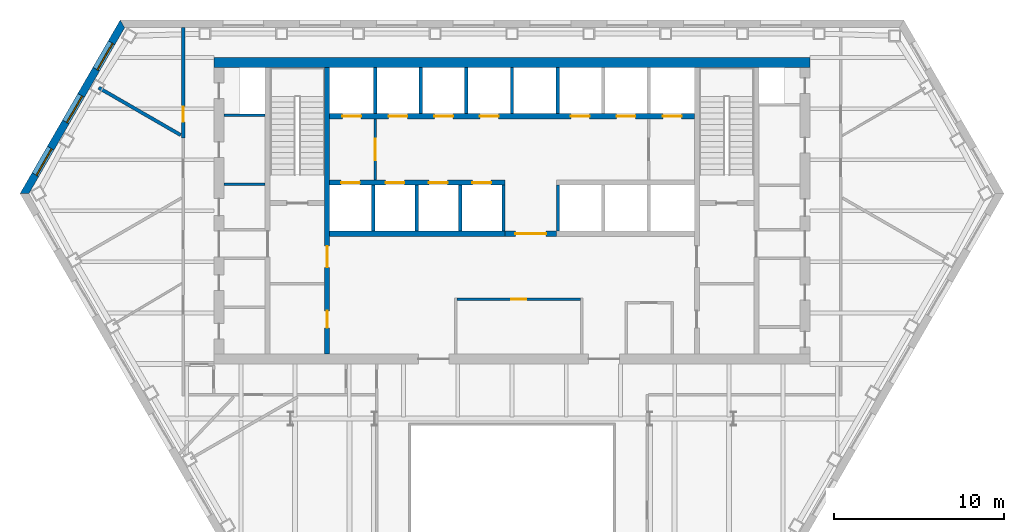
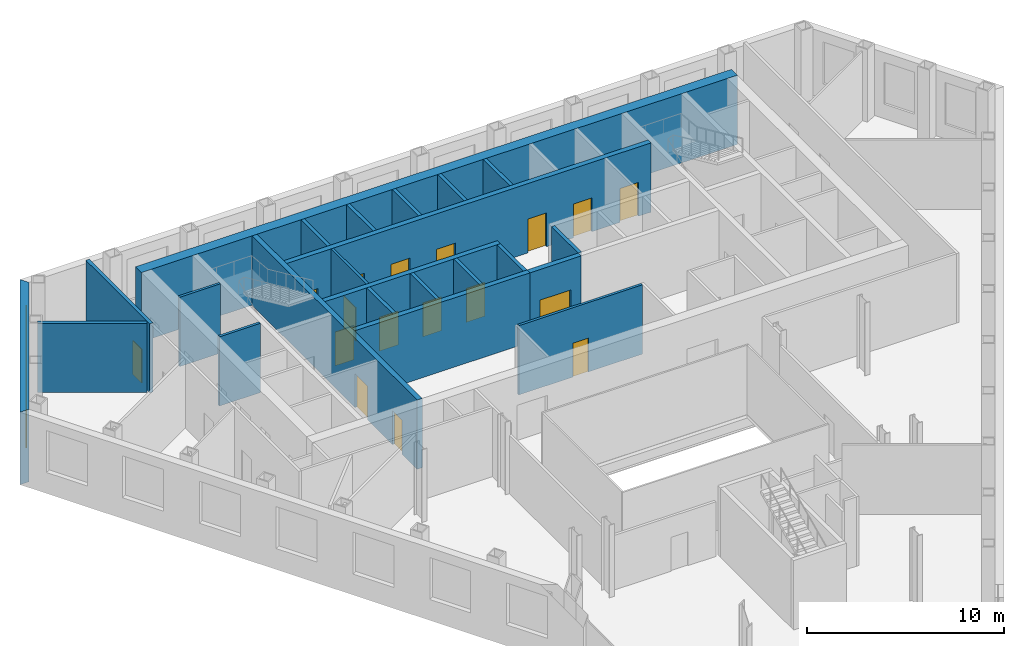
# One storey, part 6 of 11: 23 walls, 17 doors, 3 windows, 20 openings.
"""IFC4 building model written with IfcOpenShell, lengths in metres."""

from ifc_helpers import new_model, si_unit, direction, frame, frame_2d, origin, place, context, subcontext, project, spatial, polyline, rectangle, outline, extrude, material, layer, layer_set, type_object, element, fill, save


model = new_model("IFC4")

# Units and contexts
model_context = context("Model", 3, precision=1e-05, world=origin(), true_north=direction((0.0, 1.0)))
body_context = subcontext(model_context, "Body", "Model", "MODEL_VIEW")
ifc_project = project(units=[si_unit("LENGTHUNIT", "METRE"), si_unit("AREAUNIT", "SQUARE_METRE"), si_unit("VOLUMEUNIT", "CUBIC_METRE"), si_unit("PLANEANGLEUNIT", "RADIAN"), si_unit("MASSUNIT", "GRAM", prefix="KILO")], contexts=[model_context])

# Site, building, storey
site_placement = place(None, origin())
site = spatial("IfcSite", under=ifc_project, at=site_placement, CompositionType="ELEMENT")
building_placement = place(site_placement, origin())
building = spatial("IfcBuilding", under=site, at=building_placement, Name="Njiva Tower", CompositionType="ELEMENT")
storey_placement = place(building_placement, frame((0.0, 0.0, 37.8)))
storey = spatial("IfcBuildingStorey", under=building, at=storey_placement, Name="L07", CompositionType="ELEMENT", Elevation=37.8)

# Wall
ifc_material_1 = material(Name="Blockwork", Category="masonry")
ifc_layer_1 = layer(ifc_material_1, 0.15)
ifc_layer_set_1 = layer_set([ifc_layer_1], Name="Blockwork")
wall_type_1 = type_object("IfcWallType", Name="WT1 Compartment partition 150", PredefinedType="PARTITIONING", material=ifc_layer_set_1)
wall_1_placement = place(storey_placement, frame((-16.9, 10.5559, 0.0), z_axis=(0.0, 0.0, 1.0), x_axis=(1.0, 0.0, 0.0)))
element("IfcWall", 1, at=wall_1_placement, inside=storey, type_object=wall_type_1, Name="Partition strip W10", PredefinedType="PARTITIONING", context=body_context, shape_type="SweptSolid", body=[
    extrude(rectangle(XDim=2.4, YDim=0.15, at=frame_2d((1.2, 0.0))), origin(), (0.0, 0.0, 1.0), 4.3),
])

# Wall, opening, door
wall_2_placement = place(storey_placement, frame((-3.225, 3.8, 0.0), z_axis=(0.0, 0.0, 1.0), x_axis=(1.0, 0.0, 0.0)))
wall_2 = element("IfcWall", 2, at=wall_2_placement, inside=storey, type_object=wall_type_1, Name="Information office wall north", PredefinedType="PARTITIONING", context=body_context, shape_type="SweptSolid", body=[
    extrude(rectangle(XDim=7.25, YDim=0.15, at=frame_2d((3.625, 0.0))), origin(), (0.0, 0.0, 1.0), 4.3),
])
opening_1_placement = place(wall_2_placement, frame((3.175, 0.0, 0.0)))
opening_1 = element("IfcOpeningElement", 3, at=opening_1_placement, cuts=wall_2, Name="Opening S02-D934", PredefinedType="OPENING", context=body_context, shape_type="SweptSolid", body=[
    extrude(rectangle(XDim=0.9, YDim=2.1, at=frame_2d((0.45, 1.05))), frame((0.0, 0.085, 0.0), z_axis=(0.0, -1.0, 0.0), x_axis=(1.0, 0.0, 0.0)), (0.0, 0.0, 1.0), 0.17),
])
ifc_material_2 = material(Name="Steel fire door, painted", Category="steel")
door_type_1 = type_object("IfcDoorType", Name="D6 Fire-rated door 900x2100", OperationType="SINGLE_SWING_LEFT", PredefinedType="DOOR", material=ifc_material_2)
door_1_placement = place(opening_1_placement, origin())
door_1 = element("IfcDoor", 4, at=door_1_placement, inside=storey, type_object=door_type_1, Name="Information office door", OperationType="SINGLE_SWING_LEFT", OverallHeight=2.1, OverallWidth=0.9, PredefinedType="DOOR", context=body_context, shape_type="SweptSolid", body=[
    extrude(rectangle(XDim=0.9, YDim=2.1, at=frame_2d((0.45, 1.05))), frame((0.0, 0.025, 0.0), z_axis=(0.0, -1.0, 0.0), x_axis=(1.0, 0.0, 0.0)), (0.0, 0.0, 1.0), 0.05),
])
fill(opening_1, door_1)

# Wall, openings, doors
ifc_material_3 = material(Name="Concrete C40/50", Category="concrete")
ifc_layer_2 = layer(ifc_material_3, 0.3)
ifc_layer_set_2 = layer_set([ifc_layer_2], Name="Concrete C40/50")
wall_type_2 = type_object("IfcWallType", Name="WT10 Stair enclosure wall 300", PredefinedType="SHEAR", material=ifc_layer_set_2)
wall_3_placement = place(storey_placement, frame((-10.85, 0.6, 0.0), z_axis=(0.0, 0.0, 1.0), x_axis=(0.0, 1.0, 0.0)))
wall_3 = element("IfcWall", 5, at=wall_3_placement, inside=storey, type_object=wall_type_2, Name="Stair wall west inner", PredefinedType="SHEAR", context=body_context, shape_type="SweptSolid", body=[
    extrude(rectangle(XDim=16.8, YDim=0.3, at=frame_2d((8.4, 0.0))), origin(), (0.0, 0.0, 1.0), 4.3),
])
opening_2_placement = place(wall_3_placement, frame((5.075, 0.0, 0.0)))
opening_2 = element("IfcOpeningElement", 6, at=opening_2_placement, cuts=wall_3, Name="Opening S02-D914", PredefinedType="OPENING", context=body_context, shape_type="SweptSolid", body=[
    extrude(rectangle(XDim=1.25, YDim=2.1, at=frame_2d((0.625, 1.05))), frame((0.0, 0.16, 0.0), z_axis=(0.0, -1.0, 0.0), x_axis=(1.0, 0.0, 0.0)), (0.0, 0.0, 1.0), 0.32),
])
opening_3_placement = place(wall_3_placement, frame((1.525, 0.0, 0.0)))
opening_3 = element("IfcOpeningElement", 7, at=opening_3_placement, cuts=wall_3, Name="Opening S02-D915", PredefinedType="OPENING", context=body_context, shape_type="SweptSolid", body=[
    extrude(rectangle(XDim=1.0, YDim=2.1, at=frame_2d((0.5, 1.05))), frame((0.0, 0.16, 0.0), z_axis=(0.0, -1.0, 0.0), x_axis=(1.0, 0.0, 0.0)), (0.0, 0.0, 1.0), 0.32),
])
ifc_material_4 = material(Name="Steel door, painted", Category="steel")
door_type_2 = type_object("IfcDoorType", Name="D5 Steel door 1000x2100", OperationType="SINGLE_SWING_LEFT", PredefinedType="DOOR", material=ifc_material_4)
door_2_placement = place(opening_3_placement, origin())
door_2 = element("IfcDoor", 8, at=door_2_placement, inside=storey, type_object=door_type_2, Name="Breakout room door", OperationType="SINGLE_SWING_RIGHT", OverallHeight=2.1, OverallWidth=1.0, PredefinedType="DOOR", context=body_context, shape_type="SweptSolid", body=[
    extrude(rectangle(XDim=1.0, YDim=2.1, at=frame_2d((0.5, 1.05))), frame((0.0, 0.025, 0.0), z_axis=(0.0, -1.0, 0.0), x_axis=(1.0, 0.0, 0.0)), (0.0, 0.0, 1.0), 0.05),
])
fill(opening_3, door_2)
ifc_material_5 = material(Name="Glazed steel fire door", Category="steel")
door_type_3 = type_object("IfcDoorType", Name="D8 Vestibule corridor door 1250x2100 glazed", OperationType="SINGLE_SWING_LEFT", PredefinedType="DOOR", material=ifc_material_5)
door_3_placement = place(opening_2_placement, origin())
door_3 = element("IfcDoor", 9, at=door_3_placement, inside=storey, type_object=door_type_3, Name="Stair vestibule corridor door", OperationType="SINGLE_SWING_LEFT", OverallHeight=2.1, OverallWidth=1.25, PredefinedType="DOOR", context=body_context, shape_type="SweptSolid", body=[
    extrude(rectangle(XDim=1.25, YDim=2.1, at=frame_2d((0.625, 1.05))), frame((0.0, 0.025, 0.0), z_axis=(0.0, -1.0, 0.0), x_axis=(1.0, 0.0, 0.0)), (0.0, 0.0, 1.0), 0.05),
])
fill(opening_2, door_3)

# Wall
ifc_material_6 = material(Name="Concrete C60/75", Category="concrete")
ifc_layer_3 = layer(ifc_material_6, 0.6)
ifc_layer_set_3 = layer_set([ifc_layer_3], Name="Concrete C60/75")
wall_type_3 = type_object("IfcWallType", Name="WT15 Core wall 600", PredefinedType="SHEAR", material=ifc_layer_set_3)
wall_4_placement = place(storey_placement, frame((-17.5, 17.7, 0.0), z_axis=(0.0, 0.0, 1.0), x_axis=(1.0, 0.0, 0.0)))
element("IfcWall", 10, at=wall_4_placement, inside=storey, type_object=wall_type_3, Name="Core wall north", PredefinedType="SHEAR", context=body_context, shape_type="SweptSolid", body=[
    extrude(rectangle(XDim=35.0, YDim=0.6, at=frame_2d((17.5, 0.0))), origin(), (0.0, 0.0, 1.0), 4.3),
])

# Wall, opening, door
ifc_layer_4 = layer(ifc_material_1, 0.15)
ifc_layer_set_4 = layer_set([ifc_layer_4], Name="Blockwork")
wall_type_4 = type_object("IfcWallType", Name="WT2 Lobby partition 150", PredefinedType="PARTITIONING", material=ifc_layer_set_4)
wall_5_placement = place(storey_placement, frame((-8.025, 10.8, 0.0), z_axis=(0.0, 0.0, 1.0), x_axis=(0.0, 1.0, 0.0)))
wall_5 = element("IfcWall", 11, at=wall_5_placement, inside=storey, type_object=wall_type_4, Name="Firefighting lobby wall A", PredefinedType="PARTITIONING", context=body_context, shape_type="SweptSolid", body=[
    extrude(rectangle(XDim=3.6, YDim=0.15, at=frame_2d((1.8, 0.0))), origin(), (0.0, 0.0, 1.0), 4.3),
])
opening_4_placement = place(wall_5_placement, frame((1.175, 0.0, 0.0)))
opening_4 = element("IfcOpeningElement", 12, at=opening_4_placement, cuts=wall_5, Name="Opening S02-D912", PredefinedType="OPENING", context=body_context, shape_type="SweptSolid", body=[
    extrude(rectangle(XDim=1.25, YDim=2.1, at=frame_2d((0.625, 1.05))), frame((0.0, 0.085, 0.0), z_axis=(0.0, -1.0, 0.0), x_axis=(1.0, 0.0, 0.0)), (0.0, 0.0, 1.0), 0.17),
])
door_4_placement = place(opening_4_placement, origin())
door_4 = element("IfcDoor", 13, at=door_4_placement, inside=storey, type_object=door_type_3, Name="Stair vestibule corridor door", OperationType="SINGLE_SWING_RIGHT", OverallHeight=2.1, OverallWidth=1.25, PredefinedType="DOOR", context=body_context, shape_type="SweptSolid", body=[
    extrude(rectangle(XDim=1.25, YDim=2.1, at=frame_2d((0.625, 1.05))), frame((0.0, 0.025, 0.0), z_axis=(0.0, -1.0, 0.0), x_axis=(1.0, 0.0, 0.0)), (0.0, 0.0, 1.0), 0.05),
])
fill(opening_4, door_4)

# Wall
ifc_layer_5 = layer(ifc_material_1, 0.2)
ifc_layer_set_5 = layer_set([ifc_layer_5], Name="Blockwork")
wall_type_5 = type_object("IfcWallType", Name="WT22 Plant room wall 200", PredefinedType="PARTITIONING", material=ifc_layer_set_5)
wall_6_placement = place(storey_placement, frame((-24.263, 16.222, 0.0), z_axis=(0.0, 0.0, 1.0), x_axis=(0.86616461284, -0.499758805289, 0.0)))
element("IfcWall", 14, at=wall_6_placement, inside=storey, type_object=wall_type_5, Name="Partition S02-P002", PredefinedType="PARTITIONING", context=body_context, shape_type="SweptSolid", body=[
    extrude(rectangle(XDim=5.5567, YDim=0.2, at=frame_2d((2.7784, 0.0))), origin(), (0.0, 0.0, 1.0), 4.3),
])

# Wall, opening, door
wall_7_placement = place(storey_placement, frame((-19.3, 13.258, 0.0), z_axis=(0.0, 0.0, 1.0), x_axis=(0.0, 1.0, 0.0)))
wall_7 = element("IfcWall", 15, at=wall_7_placement, inside=storey, type_object=wall_type_5, Name="Partition S02-P006", PredefinedType="PARTITIONING", context=body_context, shape_type="SweptSolid", body=[
    extrude(rectangle(XDim=6.491, YDim=0.2, at=frame_2d((3.2455, 0.0))), origin(), (0.0, 0.0, 1.0), 4.3),
])
opening_5_placement = place(wall_7_placement, frame((0.955, 0.0, 0.0)))
opening_5 = element("IfcOpeningElement", 16, at=opening_5_placement, cuts=wall_7, Name="Opening S02-D004", PredefinedType="OPENING", context=body_context, shape_type="SweptSolid", body=[
    extrude(rectangle(XDim=0.9, YDim=2.1, at=frame_2d((0.45, 1.05))), frame((0.0, 0.11, 0.0), z_axis=(0.0, -1.0, 0.0), x_axis=(1.0, 0.0, 0.0)), (0.0, 0.0, 1.0), 0.22),
])
ifc_material_7 = material(Name="Steel fire door set", Category="steel")
door_type_4 = type_object("IfcDoorType", Name="D36 Fire door 900x2100", OperationType="SINGLE_SWING_LEFT", PredefinedType="DOOR", material=ifc_material_7)
door_5_placement = place(opening_5_placement, origin())
door_5 = element("IfcDoor", 17, at=door_5_placement, inside=storey, type_object=door_type_4, Name="Door S02-D004", OperationType="SINGLE_SWING_RIGHT", OverallHeight=2.1, OverallWidth=0.9, PredefinedType="DOOR", context=body_context, shape_type="SweptSolid", body=[
    extrude(rectangle(XDim=0.9, YDim=2.1, at=frame_2d((0.45, 1.05))), frame((0.0, 0.025, 0.0), z_axis=(0.0, -1.0, 0.0), x_axis=(1.0, 0.0, 0.0)), (0.0, 0.0, 1.0), 0.05),
])
fill(opening_5, door_5)

# Wall
ifc_layer_6 = layer(ifc_material_1, 0.15)
ifc_layer_set_6 = layer_set([ifc_layer_6], Name="Blockwork")
wall_type_6 = type_object("IfcWallType", Name="WT3 Riser partition 150", PredefinedType="PARTITIONING", material=ifc_layer_set_6)
wall_8_placement = place(storey_placement, frame((-16.9, 14.5995, 0.0), z_axis=(0.0, 0.0, 1.0), x_axis=(1.0, 0.0, 0.0)))
element("IfcWall", 18, at=wall_8_placement, inside=storey, type_object=wall_type_6, Name="Partition strip W11", PredefinedType="PARTITIONING", context=body_context, shape_type="SweptSolid", body=[
    extrude(rectangle(XDim=2.4, YDim=0.15, at=frame_2d((1.2, 0.0))), origin(), (0.0, 0.0, 1.0), 4.3),
])

# Wall, opening, door
ifc_layer_7 = layer(ifc_material_1, 0.3)
ifc_layer_set_7 = layer_set([ifc_layer_7], Name="Blockwork")
wall_type_7 = type_object("IfcWallType", Name="WT5 Lobby partition 300", PredefinedType="PARTITIONING", material=ifc_layer_set_7)
wall_9_placement = place(storey_placement, frame((-0.4, 7.65, 0.0), z_axis=(0.0, 0.0, 1.0), x_axis=(1.0, 0.0, 0.0)))
wall_9 = element("IfcWall", 19, at=wall_9_placement, inside=storey, type_object=wall_type_7, Name="Lift lobby screen wall", PredefinedType="PARTITIONING", context=body_context, shape_type="SweptSolid", body=[
    extrude(rectangle(XDim=3.0, YDim=0.3, at=frame_2d((1.5, 0.0))), origin(), (0.0, 0.0, 1.0), 4.3),
])
opening_6_placement = place(wall_9_placement, frame((0.6, 0.0, 0.0)))
opening_6 = element("IfcOpeningElement", 20, at=opening_6_placement, cuts=wall_9, Name="Opening S02-D936", PredefinedType="OPENING", context=body_context, shape_type="SweptSolid", body=[
    extrude(rectangle(XDim=1.8, YDim=2.4, at=frame_2d((0.9, 1.2))), frame((0.0, 0.16, 0.0), z_axis=(0.0, -1.0, 0.0), x_axis=(1.0, 0.0, 0.0)), (0.0, 0.0, 1.0), 0.32),
])
ifc_material_8 = material(Name="Steel and glass door", Category="steel")
door_type_5 = type_object("IfcDoorType", Name="D3 Core entrance door 1800x2400", OperationType="DOUBLE_DOOR_SINGLE_SWING", PredefinedType="DOOR", material=ifc_material_8)
door_6_placement = place(opening_6_placement, origin())
door_6 = element("IfcDoor", 21, at=door_6_placement, inside=storey, type_object=door_type_5, Name="Core entrance door", OperationType="DOUBLE_DOOR_SINGLE_SWING", OverallHeight=2.4, OverallWidth=1.8, PredefinedType="DOOR", context=body_context, shape_type="SweptSolid", body=[
    extrude(rectangle(XDim=1.8, YDim=2.4, at=frame_2d((0.9, 1.2))), frame((0.0, 0.025, 0.0), z_axis=(0.0, -1.0, 0.0), x_axis=(1.0, 0.0, 0.0)), (0.0, 0.0, 1.0), 0.05),
])
fill(opening_6, door_6)

# Walls
ifc_layer_8 = layer(ifc_material_3, 0.2)
ifc_layer_set_8 = layer_set([ifc_layer_8], Name="Concrete C40/50")
wall_type_8 = type_object("IfcWallType", Name="WT6 Lift shaft wall 200", PredefinedType="SHEAR", material=ifc_layer_set_8)
for number, where, z_axis, x_axis, name in (
    (22, (-8.025, 14.7, 0.0), (0.0, 0.0, 1.0), (0.0, 1.0, 0.0), "Shaft wall CN1"),
    (23, (-5.35, 14.7, 0.0), (0.0, 0.0, 1.0), (0.0, 1.0, 0.0), "Shaft wall CN2"),
    (24, (-2.675, 14.7, 0.0), (0.0, 0.0, 1.0), (0.0, 1.0, 0.0), "Shaft wall CN3"),
    (25, (0.0, 14.7, 0.0), (0.0, 0.0, 1.0), (0.0, 1.0, 0.0), "Shaft wall CN4"),
    (26, (2.675, 14.7, 0.0), (0.0, 0.0, 1.0), (0.0, 1.0, 0.0), "Shaft wall CN5"),
    (27, (-8.15, 7.8, 0.0), (0.0, 0.0, 1.0), (0.0, 1.0, 0.0), "Shaft wall CS1"),
    (28, (-5.6, 7.8, 0.0), (0.0, 0.0, 1.0), (0.0, 1.0, 0.0), "Shaft wall CS2"),
    (29, (-3.05, 7.8, 0.0), (0.0, 0.0, 1.0), (0.0, 1.0, 0.0), "Shaft wall CS3"),
    (30, (-0.5, 7.8, 0.0), (0.0, 0.0, 1.0), (0.0, 1.0, 0.0), "Shaft wall CS4"),
    (31, (2.7, 7.8, 0.0), (0.0, 0.0, 1.0), (0.0, 1.0, 0.0), "Shaft wall CS5"),
):
    element("IfcWall", number, at=place(storey_placement, frame(where, z_axis=z_axis, x_axis=x_axis)), inside=storey, type_object=wall_type_8, Name=name, PredefinedType="SHEAR", context=body_context, shape_type="SweptSolid", body=[
        extrude(rectangle(XDim=2.7, YDim=0.2, at=frame_2d((1.35, 0.0))), origin(), (0.0, 0.0, 1.0), 4.3),
    ])

# Wall, openings, doors
ifc_layer_9 = layer(ifc_material_3, 0.3)
ifc_layer_set_9 = layer_set([ifc_layer_9], Name="Concrete C40/50")
wall_type_9 = type_object("IfcWallType", Name="WT7 Lift shaft wall 300", PredefinedType="SHEAR", material=ifc_layer_set_9)
wall_10_placement = place(storey_placement, frame((-10.7, 14.55, 0.0), z_axis=(0.0, 0.0, 1.0), x_axis=(1.0, 0.0, 0.0)))
wall_10 = element("IfcWall", 32, at=wall_10_placement, inside=storey, type_object=wall_type_9, Name="Shaft wall north row lobby side", PredefinedType="SHEAR", context=body_context, shape_type="SweptSolid", body=[
    extrude(rectangle(XDim=21.4, YDim=0.3, at=frame_2d((10.7, 0.0))), origin(), (0.0, 0.0, 1.0), 4.3),
])
opening_7_placement = place(wall_10_placement, frame((0.7375, 0.0, 0.0)))
opening_7 = element("IfcOpeningElement", 33, at=opening_7_placement, cuts=wall_10, Name="Opening S02-D901", PredefinedType="OPENING", context=body_context, shape_type="SweptSolid", body=[
    extrude(rectangle(XDim=1.1, YDim=2.1, at=frame_2d((0.55, 1.05))), frame((0.0, 0.16, 0.0), z_axis=(0.0, -1.0, 0.0), x_axis=(1.0, 0.0, 0.0)), (0.0, 0.0, 1.0), 0.32),
])
opening_8_placement = place(wall_10_placement, frame((3.4625, 0.0, 0.0)))
opening_8 = element("IfcOpeningElement", 34, at=opening_8_placement, cuts=wall_10, Name="Opening S02-D902", PredefinedType="OPENING", context=body_context, shape_type="SweptSolid", body=[
    extrude(rectangle(XDim=1.1, YDim=2.1, at=frame_2d((0.55, 1.05))), frame((0.0, 0.16, 0.0), z_axis=(0.0, -1.0, 0.0), x_axis=(1.0, 0.0, 0.0)), (0.0, 0.0, 1.0), 0.32),
])
opening_9_placement = place(wall_10_placement, frame((6.1375, 0.0, 0.0)))
opening_9 = element("IfcOpeningElement", 35, at=opening_9_placement, cuts=wall_10, Name="Opening S02-D903", PredefinedType="OPENING", context=body_context, shape_type="SweptSolid", body=[
    extrude(rectangle(XDim=1.1, YDim=2.1, at=frame_2d((0.55, 1.05))), frame((0.0, 0.16, 0.0), z_axis=(0.0, -1.0, 0.0), x_axis=(1.0, 0.0, 0.0)), (0.0, 0.0, 1.0), 0.32),
])
opening_10_placement = place(wall_10_placement, frame((8.8125, 0.0, 0.0)))
opening_10 = element("IfcOpeningElement", 36, at=opening_10_placement, cuts=wall_10, Name="Opening S02-D904", PredefinedType="OPENING", context=body_context, shape_type="SweptSolid", body=[
    extrude(rectangle(XDim=1.1, YDim=2.1, at=frame_2d((0.55, 1.05))), frame((0.0, 0.16, 0.0), z_axis=(0.0, -1.0, 0.0), x_axis=(1.0, 0.0, 0.0)), (0.0, 0.0, 1.0), 0.32),
])
opening_11_placement = place(wall_10_placement, frame((14.1625, 0.0, 0.0)))
opening_11 = element("IfcOpeningElement", 37, at=opening_11_placement, cuts=wall_10, Name="Opening S02-D905", PredefinedType="OPENING", context=body_context, shape_type="SweptSolid", body=[
    extrude(rectangle(XDim=1.1, YDim=2.1, at=frame_2d((0.55, 1.05))), frame((0.0, 0.16, 0.0), z_axis=(0.0, -1.0, 0.0), x_axis=(1.0, 0.0, 0.0)), (0.0, 0.0, 1.0), 0.32),
])
opening_12_placement = place(wall_10_placement, frame((16.8375, 0.0, 0.0)))
opening_12 = element("IfcOpeningElement", 38, at=opening_12_placement, cuts=wall_10, Name="Opening S02-D906", PredefinedType="OPENING", context=body_context, shape_type="SweptSolid", body=[
    extrude(rectangle(XDim=1.1, YDim=2.1, at=frame_2d((0.55, 1.05))), frame((0.0, 0.16, 0.0), z_axis=(0.0, -1.0, 0.0), x_axis=(1.0, 0.0, 0.0)), (0.0, 0.0, 1.0), 0.32),
])
opening_13_placement = place(wall_10_placement, frame((19.5625, 0.0, 0.0)))
opening_13 = element("IfcOpeningElement", 39, at=opening_13_placement, cuts=wall_10, Name="Opening S02-D907", PredefinedType="OPENING", context=body_context, shape_type="SweptSolid", body=[
    extrude(rectangle(XDim=1.1, YDim=2.1, at=frame_2d((0.55, 1.05))), frame((0.0, 0.16, 0.0), z_axis=(0.0, -1.0, 0.0), x_axis=(1.0, 0.0, 0.0)), (0.0, 0.0, 1.0), 0.32),
])
ifc_material_9 = material(Name="Stainless steel sliding door", Category="steel")
door_type_6 = type_object("IfcDoorType", Name="LD Lift landing door 1100x2100", OperationType="SLIDING_TO_LEFT", PredefinedType="DOOR", material=ifc_material_9)
door_7_placement = place(opening_7_placement, origin())
door_7 = element("IfcDoor", 40, at=door_7_placement, inside=storey, type_object=door_type_6, Name="Lift landing door FF1", OperationType="SLIDING_TO_LEFT", OverallHeight=2.1, OverallWidth=1.1, PredefinedType="DOOR", context=body_context, shape_type="SweptSolid", body=[
    extrude(rectangle(XDim=1.1, YDim=2.1, at=frame_2d((0.55, 1.05))), frame((0.0, 0.025, 0.0), z_axis=(0.0, -1.0, 0.0), x_axis=(1.0, 0.0, 0.0)), (0.0, 0.0, 1.0), 0.05),
])
fill(opening_7, door_7)
door_8_placement = place(opening_8_placement, origin())
door_8 = element("IfcDoor", 41, at=door_8_placement, inside=storey, type_object=door_type_6, Name="Lift landing door LB1", OperationType="SLIDING_TO_LEFT", OverallHeight=2.1, OverallWidth=1.1, PredefinedType="DOOR", context=body_context, shape_type="SweptSolid", body=[
    extrude(rectangle(XDim=1.1, YDim=2.1, at=frame_2d((0.55, 1.05))), frame((0.0, 0.025, 0.0), z_axis=(0.0, -1.0, 0.0), x_axis=(1.0, 0.0, 0.0)), (0.0, 0.0, 1.0), 0.05),
])
fill(opening_8, door_8)
door_9_placement = place(opening_9_placement, origin())
door_9 = element("IfcDoor", 42, at=door_9_placement, inside=storey, type_object=door_type_6, Name="Lift landing door LB2", OperationType="SLIDING_TO_LEFT", OverallHeight=2.1, OverallWidth=1.1, PredefinedType="DOOR", context=body_context, shape_type="SweptSolid", body=[
    extrude(rectangle(XDim=1.1, YDim=2.1, at=frame_2d((0.55, 1.05))), frame((0.0, 0.025, 0.0), z_axis=(0.0, -1.0, 0.0), x_axis=(1.0, 0.0, 0.0)), (0.0, 0.0, 1.0), 0.05),
])
fill(opening_9, door_9)
door_10_placement = place(opening_10_placement, origin())
door_10 = element("IfcDoor", 43, at=door_10_placement, inside=storey, type_object=door_type_6, Name="Lift landing door LB3", OperationType="SLIDING_TO_LEFT", OverallHeight=2.1, OverallWidth=1.1, PredefinedType="DOOR", context=body_context, shape_type="SweptSolid", body=[
    extrude(rectangle(XDim=1.1, YDim=2.1, at=frame_2d((0.55, 1.05))), frame((0.0, 0.025, 0.0), z_axis=(0.0, -1.0, 0.0), x_axis=(1.0, 0.0, 0.0)), (0.0, 0.0, 1.0), 0.05),
])
fill(opening_10, door_10)
door_11_placement = place(opening_11_placement, origin())
door_11 = element("IfcDoor", 44, at=door_11_placement, inside=storey, type_object=door_type_6, Name="Lift landing door FR1", OperationType="SLIDING_TO_LEFT", OverallHeight=2.1, OverallWidth=1.1, PredefinedType="DOOR", context=body_context, shape_type="SweptSolid", body=[
    extrude(rectangle(XDim=1.1, YDim=2.1, at=frame_2d((0.55, 1.05))), frame((0.0, 0.025, 0.0), z_axis=(0.0, -1.0, 0.0), x_axis=(1.0, 0.0, 0.0)), (0.0, 0.0, 1.0), 0.05),
])
fill(opening_11, door_11)
door_12_placement = place(opening_12_placement, origin())
door_12 = element("IfcDoor", 45, at=door_12_placement, inside=storey, type_object=door_type_6, Name="Lift landing door FR2", OperationType="SLIDING_TO_LEFT", OverallHeight=2.1, OverallWidth=1.1, PredefinedType="DOOR", context=body_context, shape_type="SweptSolid", body=[
    extrude(rectangle(XDim=1.1, YDim=2.1, at=frame_2d((0.55, 1.05))), frame((0.0, 0.025, 0.0), z_axis=(0.0, -1.0, 0.0), x_axis=(1.0, 0.0, 0.0)), (0.0, 0.0, 1.0), 0.05),
])
fill(opening_12, door_12)
door_13_placement = place(opening_13_placement, origin())
door_13 = element("IfcDoor", 46, at=door_13_placement, inside=storey, type_object=door_type_6, Name="Lift landing door FF2", OperationType="SLIDING_TO_LEFT", OverallHeight=2.1, OverallWidth=1.1, PredefinedType="DOOR", context=body_context, shape_type="SweptSolid", body=[
    extrude(rectangle(XDim=1.1, YDim=2.1, at=frame_2d((0.55, 1.05))), frame((0.0, 0.025, 0.0), z_axis=(0.0, -1.0, 0.0), x_axis=(1.0, 0.0, 0.0)), (0.0, 0.0, 1.0), 0.05),
])
fill(opening_13, door_13)

wall_11_placement = place(storey_placement, frame((-10.7, 10.65, 0.0), z_axis=(0.0, 0.0, 1.0), x_axis=(1.0, 0.0, 0.0)))
wall_11 = element("IfcWall", 47, at=wall_11_placement, inside=storey, type_object=wall_type_9, Name="Shaft wall south row lobby side W", PredefinedType="SHEAR", context=body_context, shape_type="SweptSolid", body=[
    extrude(rectangle(XDim=10.3, YDim=0.3, at=frame_2d((5.15, 0.0))), origin(), (0.0, 0.0, 1.0), 4.3),
])
opening_14_placement = place(wall_11_placement, frame((0.675, 0.0, 0.0)))
opening_14 = element("IfcOpeningElement", 48, at=opening_14_placement, cuts=wall_11, Name="Opening S02-D908", PredefinedType="OPENING", context=body_context, shape_type="SweptSolid", body=[
    extrude(rectangle(XDim=1.1, YDim=2.1, at=frame_2d((0.55, 1.05))), frame((0.0, 0.16, 0.0), z_axis=(0.0, -1.0, 0.0), x_axis=(1.0, 0.0, 0.0)), (0.0, 0.0, 1.0), 0.32),
])
opening_15_placement = place(wall_11_placement, frame((3.275, 0.0, 0.0)))
opening_15 = element("IfcOpeningElement", 49, at=opening_15_placement, cuts=wall_11, Name="Opening S02-D909", PredefinedType="OPENING", context=body_context, shape_type="SweptSolid", body=[
    extrude(rectangle(XDim=1.1, YDim=2.1, at=frame_2d((0.55, 1.05))), frame((0.0, 0.16, 0.0), z_axis=(0.0, -1.0, 0.0), x_axis=(1.0, 0.0, 0.0)), (0.0, 0.0, 1.0), 0.32),
])
opening_16_placement = place(wall_11_placement, frame((5.825, 0.0, 0.0)))
opening_16 = element("IfcOpeningElement", 50, at=opening_16_placement, cuts=wall_11, Name="Opening S02-D910", PredefinedType="OPENING", context=body_context, shape_type="SweptSolid", body=[
    extrude(rectangle(XDim=1.1, YDim=2.1, at=frame_2d((0.55, 1.05))), frame((0.0, 0.16, 0.0), z_axis=(0.0, -1.0, 0.0), x_axis=(1.0, 0.0, 0.0)), (0.0, 0.0, 1.0), 0.32),
])
opening_17_placement = place(wall_11_placement, frame((8.375, 0.0, 0.0)))
opening_17 = element("IfcOpeningElement", 51, at=opening_17_placement, cuts=wall_11, Name="Opening S02-D911", PredefinedType="OPENING", context=body_context, shape_type="SweptSolid", body=[
    extrude(rectangle(XDim=1.1, YDim=2.1, at=frame_2d((0.55, 1.05))), frame((0.0, 0.16, 0.0), z_axis=(0.0, -1.0, 0.0), x_axis=(1.0, 0.0, 0.0)), (0.0, 0.0, 1.0), 0.32),
])
door_14_placement = place(opening_14_placement, origin())
door_14 = element("IfcDoor", 52, at=door_14_placement, inside=storey, type_object=door_type_6, Name="Lift landing door LB4", OperationType="SLIDING_TO_LEFT", OverallHeight=2.1, OverallWidth=1.1, PredefinedType="DOOR", context=body_context, shape_type="SweptSolid", body=[
    extrude(rectangle(XDim=1.1, YDim=2.1, at=frame_2d((0.55, 1.05))), frame((0.0, 0.025, 0.0), z_axis=(0.0, -1.0, 0.0), x_axis=(1.0, 0.0, 0.0)), (0.0, 0.0, 1.0), 0.05),
])
fill(opening_14, door_14)
door_15_placement = place(opening_15_placement, origin())
door_15 = element("IfcDoor", 53, at=door_15_placement, inside=storey, type_object=door_type_6, Name="Lift landing door LB5", OperationType="SLIDING_TO_LEFT", OverallHeight=2.1, OverallWidth=1.1, PredefinedType="DOOR", context=body_context, shape_type="SweptSolid", body=[
    extrude(rectangle(XDim=1.1, YDim=2.1, at=frame_2d((0.55, 1.05))), frame((0.0, 0.025, 0.0), z_axis=(0.0, -1.0, 0.0), x_axis=(1.0, 0.0, 0.0)), (0.0, 0.0, 1.0), 0.05),
])
fill(opening_15, door_15)
door_16_placement = place(opening_16_placement, origin())
door_16 = element("IfcDoor", 54, at=door_16_placement, inside=storey, type_object=door_type_6, Name="Lift landing door LB6", OperationType="SLIDING_TO_LEFT", OverallHeight=2.1, OverallWidth=1.1, PredefinedType="DOOR", context=body_context, shape_type="SweptSolid", body=[
    extrude(rectangle(XDim=1.1, YDim=2.1, at=frame_2d((0.55, 1.05))), frame((0.0, 0.025, 0.0), z_axis=(0.0, -1.0, 0.0), x_axis=(1.0, 0.0, 0.0)), (0.0, 0.0, 1.0), 0.05),
])
fill(opening_16, door_16)
door_17_placement = place(opening_17_placement, origin())
door_17 = element("IfcDoor", 55, at=door_17_placement, inside=storey, type_object=door_type_6, Name="Lift landing door LB7", OperationType="SLIDING_TO_LEFT", OverallHeight=2.1, OverallWidth=1.1, PredefinedType="DOOR", context=body_context, shape_type="SweptSolid", body=[
    extrude(rectangle(XDim=1.1, YDim=2.1, at=frame_2d((0.55, 1.05))), frame((0.0, 0.025, 0.0), z_axis=(0.0, -1.0, 0.0), x_axis=(1.0, 0.0, 0.0)), (0.0, 0.0, 1.0), 0.05),
])
fill(opening_17, door_17)

# Wall
wall_12_placement = place(storey_placement, frame((-10.7, 7.65, 0.0), z_axis=(0.0, 0.0, 1.0), x_axis=(1.0, 0.0, 0.0)))
element("IfcWall", 56, at=wall_12_placement, inside=storey, type_object=wall_type_9, Name="Shaft wall south row back W", PredefinedType="SHEAR", context=body_context, shape_type="SweptSolid", body=[
    extrude(rectangle(XDim=10.3, YDim=0.3, at=frame_2d((5.15, 0.0))), origin(), (0.0, 0.0, 1.0), 4.3),
])

# Wall, openings, windows
ifc_material_10 = material(Name="Brick masonry, buff", Category="masonry")
ifc_layer_10 = layer(ifc_material_10, 0.45)
ifc_layer_set_10 = layer_set([ifc_layer_10], Name="Brick masonry, buff")
wall_type_10 = type_object("IfcWallType", Name="WT94 Brick pier and spandrel wall 450, buff", PredefinedType="SOLIDWALL", material=ifc_layer_set_10)
wall_13_placement = place(storey_placement, frame((-22.8713, 19.9728, -0.4), z_axis=(0.0, 0.0, 1.0), x_axis=(-0.500002460556, -0.866023983177, 0.0)))
wall_13 = element("IfcWall", 57, at=wall_13_placement, inside=storey, type_object=wall_type_10, Name="Facade wall NW", PredefinedType="SOLIDWALL", context=body_context, shape_type="SweptSolid", body=[
    extrude(outline(polyline([(-0.1299, -0.225), (11.63, -0.225), (11.3702, 0.225), (0.1299, 0.225), (-0.1299, -0.225)])), origin(), (0.0, 0.0, 1.0), 4.5),
])
opening_18_placement = place(wall_13_placement, frame((1.2764, 0.0, 1.3)))
opening_18 = element("IfcOpeningElement", 58, at=opening_18_placement, cuts=wall_13, Name="Opening S02-W09", PredefinedType="OPENING", context=body_context, shape_type="SweptSolid", body=[
    extrude(rectangle(XDim=1.8, YDim=2.6, at=frame_2d((0.9, 1.3))), frame((0.0, 0.235, 0.0), z_axis=(0.0, -1.0, 0.0), x_axis=(1.0, 0.0, 0.0)), (0.0, 0.0, 1.0), 0.47),
])
opening_19_placement = place(wall_13_placement, frame((4.8501, 0.0, 1.3)))
opening_19 = element("IfcOpeningElement", 59, at=opening_19_placement, cuts=wall_13, Name="Opening S02-W10", PredefinedType="OPENING", context=body_context, shape_type="SweptSolid", body=[
    extrude(rectangle(XDim=1.8, YDim=2.6, at=frame_2d((0.9, 1.3))), frame((0.0, 0.235, 0.0), z_axis=(0.0, -1.0, 0.0), x_axis=(1.0, 0.0, 0.0)), (0.0, 0.0, 1.0), 0.47),
])
opening_20_placement = place(wall_13_placement, frame((8.4237, 0.0, 1.3)))
opening_20 = element("IfcOpeningElement", 60, at=opening_20_placement, cuts=wall_13, Name="Opening S02-W11", PredefinedType="OPENING", context=body_context, shape_type="SweptSolid", body=[
    extrude(rectangle(XDim=1.8, YDim=2.6, at=frame_2d((0.9, 1.3))), frame((0.0, 0.235, 0.0), z_axis=(0.0, -1.0, 0.0), x_axis=(1.0, 0.0, 0.0)), (0.0, 0.0, 1.0), 0.47),
])
ifc_material_11 = material(Name="Clear glazing in aluminium frame", Category="aluminium")
window_type = type_object("IfcWindowType", Name="W96 Deep-set window 1800x2600", PartitioningType="SINGLE_PANEL", PredefinedType="WINDOW", material=ifc_material_11)
window_1_placement = place(opening_18_placement, origin())
window_1 = element("IfcWindow", 61, at=window_1_placement, inside=storey, type_object=window_type, Name="Window", OverallHeight=2.6, OverallWidth=1.8, PartitioningType="SINGLE_PANEL", PredefinedType="WINDOW", context=body_context, shape_type="SweptSolid", body=[
    extrude(rectangle(XDim=1.8, YDim=2.6, at=frame_2d((0.9, 1.3))), frame((0.0, 0.105, 0.0), z_axis=(0.0, -1.0, 0.0), x_axis=(1.0, 0.0, 0.0)), (0.0, 0.0, 1.0), 0.06),
])
fill(opening_18, window_1)
window_2_placement = place(opening_19_placement, origin())
window_2 = element("IfcWindow", 62, at=window_2_placement, inside=storey, type_object=window_type, Name="Window", OverallHeight=2.6, OverallWidth=1.8, PartitioningType="SINGLE_PANEL", PredefinedType="WINDOW", context=body_context, shape_type="SweptSolid", body=[
    extrude(rectangle(XDim=1.8, YDim=2.6, at=frame_2d((0.9, 1.3))), frame((0.0, 0.105, 0.0), z_axis=(0.0, -1.0, 0.0), x_axis=(1.0, 0.0, 0.0)), (0.0, 0.0, 1.0), 0.06),
])
fill(opening_19, window_2)
window_3_placement = place(opening_20_placement, origin())
window_3 = element("IfcWindow", 63, at=window_3_placement, inside=storey, type_object=window_type, Name="Window", OverallHeight=2.6, OverallWidth=1.8, PartitioningType="SINGLE_PANEL", PredefinedType="WINDOW", context=body_context, shape_type="SweptSolid", body=[
    extrude(rectangle(XDim=1.8, YDim=2.6, at=frame_2d((0.9, 1.3))), frame((0.0, 0.105, 0.0), z_axis=(0.0, -1.0, 0.0), x_axis=(1.0, 0.0, 0.0)), (0.0, 0.0, 1.0), 0.06),
])
fill(opening_20, window_3)

save(model, "model.ifc")
